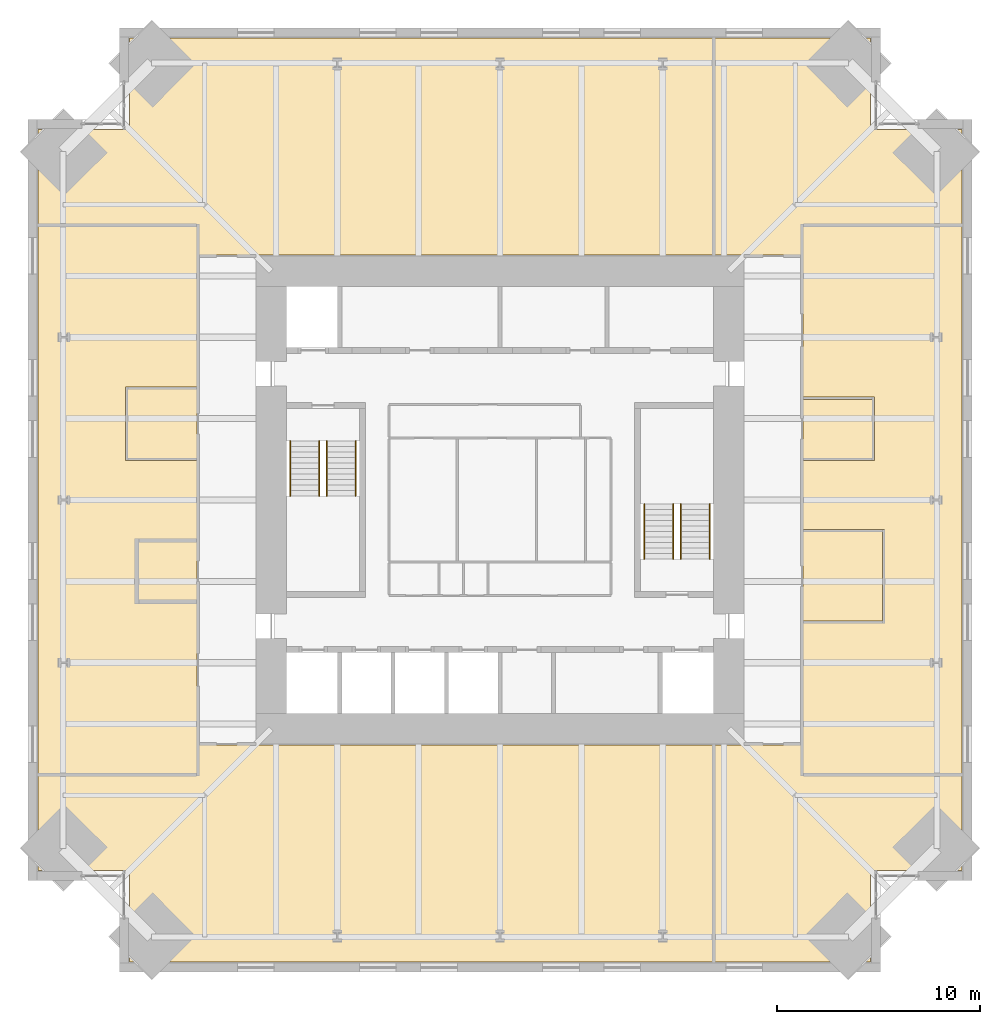
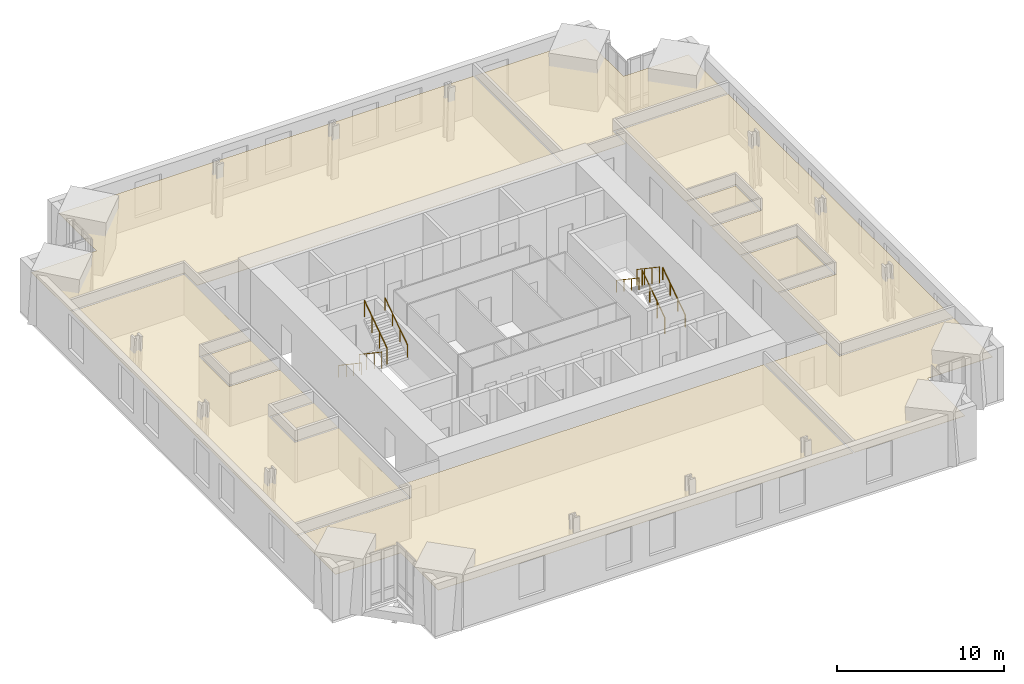
# One storey, part 15 of 15: 10 coverings, 8 railings.
"""IFC4 building model written with IfcOpenShell, lengths in metres."""

from ifc_helpers import new_model, si_unit, direction, frame, origin, origin_2d, place, context, subcontext, project, spatial, polyline, circle, outline, extrude, material, layer, layer_set, type_object, element, save


model = new_model("IFC4")

# Units and contexts
model_context = context("Model", 3, precision=1e-05, world=origin(), true_north=direction((0.0, 1.0)))
body_context = subcontext(model_context, "Body", "Model", "MODEL_VIEW")
ifc_project = project(units=[si_unit("LENGTHUNIT", "METRE"), si_unit("AREAUNIT", "SQUARE_METRE"), si_unit("VOLUMEUNIT", "CUBIC_METRE"), si_unit("PLANEANGLEUNIT", "RADIAN"), si_unit("MASSUNIT", "GRAM", prefix="KILO")], contexts=[model_context])

# Site, building, storey
site_placement = place(None, origin())
site = spatial("IfcSite", under=ifc_project, at=site_placement, CompositionType="ELEMENT")
building_placement = place(site_placement, origin())
building = spatial("IfcBuilding", under=site, at=building_placement, Name="Peilmerk Tower", CompositionType="ELEMENT")
storey_placement = place(building_placement, frame((0.0, 0.0, 233.800048828125)))
storey = spatial("IfcBuildingStorey", under=building, at=storey_placement, Name="L51", CompositionType="ELEMENT", Elevation=233.800048828125)

# Coverings
ifc_material_1 = material(Name="Mineral fibre ceiling tiles", Category="mineral")
ifc_layer = layer(ifc_material_1, 0.02490234375)
ifc_layer_set = layer_set([ifc_layer], Name="Mineral fibre ceiling tiles")
covering_type = type_object("IfcCoveringType", Name="CL1 25 suspended ceiling", PredefinedType="CEILING", material=ifc_layer_set)
covering_1_placement = place(storey_placement, frame((0.0, 0.0, 2.905029296875)))
element("IfcCovering", 1, at=covering_1_placement, inside=storey, type_object=covering_type, Name="Suspended ceiling Project room", PredefinedType="CEILING", context=body_context, shape_type="SweptSolid", body=[
    extrude(outline(polyline([(-22.699951171875, 18.199951171875), (-22.699951171875, 13.550048828125), (-14.800048828125, 13.550048828125), (-14.800048828125, 12.050048828125), (10.449951171875, 12.050048828125), (10.449951171875, 22.699951171875), (-18.199951171875, 22.699951171875), (-18.199951171875, 18.199951171875), (-22.699951171875, 18.199951171875)])), origin(), (0.0, 0.0, 1.0), 0.02490234375),
])
covering_2_placement = place(storey_placement, frame((0.0, 0.0, 2.905029296875)))
element("IfcCovering", 2, at=covering_2_placement, inside=storey, type_object=covering_type, Name="Suspended ceiling Open workspace", PredefinedType="CEILING", context=body_context, shape_type="SweptSolid", body=[
    extrude(outline(polyline([(18.199951171875, 22.699951171875), (10.550048828125, 22.699951171875), (10.550048828125, 12.050048828125), (14.800048828125, 12.050048828125), (14.800048828125, 13.550048828125), (22.699951171875, 13.550048828125), (22.699951171875, 18.199951171875), (18.199951171875, 18.199951171875), (18.199951171875, 22.699951171875)])), origin(), (0.0, 0.0, 1.0), 0.02490234375),
])
covering_3_placement = place(storey_placement, frame((0.0, 0.0, 2.905029296875)))
element("IfcCovering", 3, at=covering_3_placement, inside=storey, type_object=covering_type, Name="Suspended ceiling Open workspace", PredefinedType="CEILING", context=body_context, shape_type="SweptSolid", body=[
    extrude(outline(polyline([(-18.199951171875, -22.699951171875), (10.449951171875, -22.699951171875), (10.449951171875, -12.050048828125), (-14.800048828125, -12.050048828125), (-14.800048828125, -13.550048828125), (-22.699951171875, -13.550048828125), (-22.699951171875, -18.199951171875), (-18.199951171875, -18.199951171875), (-18.199951171875, -22.699951171875)])), origin(), (0.0, 0.0, 1.0), 0.02490234375),
])
covering_4_placement = place(storey_placement, frame((0.0, 0.0, 2.905029296875)))
element("IfcCovering", 4, at=covering_4_placement, inside=storey, type_object=covering_type, Name="Suspended ceiling Project room", PredefinedType="CEILING", context=body_context, shape_type="SweptSolid", body=[
    extrude(outline(polyline([(10.550048828125, -22.699951171875), (18.199951171875, -22.699951171875), (18.199951171875, -18.199951171875), (22.699951171875, -18.199951171875), (22.699951171875, -13.550048828125), (14.800048828125, -13.550048828125), (14.800048828125, -12.050048828125), (10.550048828125, -12.050048828125), (10.550048828125, -22.699951171875)])), origin(), (0.0, 0.0, 1.0), 0.02490234375),
])
covering_5_placement = place(storey_placement, frame((0.0, 0.0, 2.905029296875)))
element("IfcCovering", 5, at=covering_5_placement, inside=storey, type_object=covering_type, Name="Suspended ceiling Open workspace", PredefinedType="CEILING", context=body_context, shape_type="SweptSolid", body=[
    extrude(outline(polyline([(14.89990234375, -13.449951171875), (22.699951171875, -13.449951171875), (22.699951171875, 13.449951171875), (14.89990234375, 13.449951171875), (14.89990234375, 5.050048828125), (18.39990234375, 5.050048828125), (18.39990234375, 1.949951171875), (14.89990234375, 1.949951171875), (14.89990234375, -1.449951171875), (18.89990234375, -1.449951171875), (18.89990234375, -6.050048828125), (14.89990234375, -6.050048828125), (14.89990234375, -13.449951171875)])), origin(), (0.0, 0.0, 1.0), 0.02490234375),
])
covering_6_placement = place(storey_placement, frame((0.0, 0.0, 2.905029296875)))
element("IfcCovering", 6, at=covering_6_placement, inside=storey, type_object=covering_type, Name="Suspended ceiling Meeting room", PredefinedType="CEILING", context=body_context, shape_type="SweptSolid", body=[
    extrude(outline(polyline([(18.800048828125, -5.949951171875), (18.800048828125, -1.550048828125), (14.89990234375, -1.550048828125), (14.89990234375, -5.949951171875), (18.800048828125, -5.949951171875)])), origin(), (0.0, 0.0, 1.0), 0.02490234375),
])
covering_7_placement = place(storey_placement, frame((0.0, 0.0, 2.905029296875)))
element("IfcCovering", 7, at=covering_7_placement, inside=storey, type_object=covering_type, Name="Suspended ceiling Focus room", PredefinedType="CEILING", context=body_context, shape_type="SweptSolid", body=[
    extrude(outline(polyline([(18.300048828125, 2.050048828125), (18.300048828125, 4.949951171875), (14.89990234375, 4.949951171875), (14.89990234375, 2.050048828125), (18.300048828125, 2.050048828125)])), origin(), (0.0, 0.0, 1.0), 0.02490234375),
])
covering_8_placement = place(storey_placement, frame((0.0, 0.0, 2.905029296875)))
element("IfcCovering", 8, at=covering_8_placement, inside=storey, type_object=covering_type, Name="Suspended ceiling Open workspace", PredefinedType="CEILING", context=body_context, shape_type="SweptSolid", body=[
    extrude(outline(polyline([(-14.89990234375, 13.449951171875), (-22.699951171875, 13.449951171875), (-22.699951171875, -13.449951171875), (-14.89990234375, -13.449951171875), (-14.89990234375, -5.050048828125), (-17.89990234375, -5.050048828125), (-17.89990234375, -1.949951171875), (-14.89990234375, -1.949951171875), (-14.89990234375, 1.949951171875), (-18.39990234375, 1.949951171875), (-18.39990234375, 5.550048828125), (-14.89990234375, 5.550048828125), (-14.89990234375, 13.449951171875)])), origin(), (0.0, 0.0, 1.0), 0.02490234375),
])
covering_9_placement = place(storey_placement, frame((0.0, 0.0, 2.905029296875)))
element("IfcCovering", 9, at=covering_9_placement, inside=storey, type_object=covering_type, Name="Suspended ceiling Print room", PredefinedType="CEILING", context=body_context, shape_type="SweptSolid", body=[
    extrude(outline(polyline([(-14.89990234375, -4.949951171875), (-14.89990234375, -2.050048828125), (-17.800048828125, -2.050048828125), (-17.800048828125, -4.949951171875), (-14.89990234375, -4.949951171875)])), origin(), (0.0, 0.0, 1.0), 0.02490234375),
])
covering_10_placement = place(storey_placement, frame((0.0, 0.0, 2.905029296875)))
element("IfcCovering", 10, at=covering_10_placement, inside=storey, type_object=covering_type, Name="Suspended ceiling Pantry", PredefinedType="CEILING", context=body_context, shape_type="SweptSolid", body=[
    extrude(outline(polyline([(-14.89990234375, 2.050048828125), (-14.89990234375, 5.449951171875), (-18.300048828125, 5.449951171875), (-18.300048828125, 2.050048828125), (-14.89990234375, 2.050048828125)])), origin(), (0.0, 0.0, 1.0), 0.02490234375),
])

# Railings
ifc_material_2 = material(Name="Steel flat bar balustrade", Category="steel")
railing_type_1 = type_object("IfcRailingType", Name="GR1 1200 stair guard", PredefinedType="GUARDRAIL", material=ifc_material_2)
railing_1_placement = place(storey_placement, frame((-8.8798828125, 2.89990234375, 0.181884765625)))
element("IfcRailing", 11, at=railing_1_placement, inside=storey, type_object=railing_type_1, Name="Guard stair 1 L51", PredefinedType="GUARDRAIL", context=body_context, shape_type="SweptSolid", body=[
    extrude(circle(Radius=0.02392578125, at=origin_2d()), frame((0.0, 0.0, 1.17578125), z_axis=(0.0, -0.829468130872, 0.55855404382), x_axis=(1.0, 0.0, 0.0)), (0.0, 0.0, 1.0), 3.255126953125),
    extrude(circle(Radius=0.02099609375, at=origin_2d()), origin(), (0.0, 0.0, 1.0), 1.15185546875),
    extrude(circle(Radius=0.02099609375, at=origin_2d()), frame((0.0, -0.89990234375, 0.60595703125)), (0.0, 0.0, 1.0), 1.15185546875),
    extrude(circle(Radius=0.02099609375, at=origin_2d()), frame((0.0, -1.800048828125, 1.212158203125)), (0.0, 0.0, 1.0), 1.15185546875),
    extrude(circle(Radius=0.02099609375, at=origin_2d()), frame((0.0, -2.699951171875, 1.818115234375)), (0.0, 0.0, 1.0), 1.15185546875),
])
for number, where, name in (
    (12, (-8.52001953125, 0.199951171875, 2.181884765625), "Guard stair 1 L51"),
    (13, (8.8798828125, -2.89990234375, 0.181884765625), "Guard stair 2 L51"),
):
    element("IfcRailing", number, at=place(storey_placement, frame(where)), inside=storey, type_object=railing_type_1, Name=name, PredefinedType="GUARDRAIL", context=body_context, shape_type="SweptSolid", body=[
        extrude(circle(Radius=0.02392578125, at=origin_2d()), frame((0.0, 0.0, 1.17578125), z_axis=(0.0, 0.829468130872, 0.55855404382), x_axis=(-1.0, 0.0, 0.0)), (0.0, 0.0, 1.0), 3.255126953125),
        extrude(circle(Radius=0.02099609375, at=origin_2d()), origin(), (0.0, 0.0, 1.0), 1.15185546875),
        extrude(circle(Radius=0.02099609375, at=origin_2d()), frame((0.0, 0.89990234375, 0.60595703125)), (0.0, 0.0, 1.0), 1.15185546875),
        extrude(circle(Radius=0.02099609375, at=origin_2d()), frame((0.0, 1.800048828125, 1.212158203125)), (0.0, 0.0, 1.0), 1.15185546875),
        extrude(circle(Radius=0.02099609375, at=origin_2d()), frame((0.0, 2.699951171875, 1.818115234375)), (0.0, 0.0, 1.0), 1.15185546875),
    ])
railing_2_placement = place(storey_placement, frame((8.52001953125, -0.199951171875, 2.181884765625)))
element("IfcRailing", 14, at=railing_2_placement, inside=storey, type_object=railing_type_1, Name="Guard stair 2 L51", PredefinedType="GUARDRAIL", context=body_context, shape_type="SweptSolid", body=[
    extrude(circle(Radius=0.02392578125, at=origin_2d()), frame((0.0, 0.0, 1.17578125), z_axis=(0.0, -0.829468130872, 0.55855404382), x_axis=(1.0, 0.0, 0.0)), (0.0, 0.0, 1.0), 3.255126953125),
    extrude(circle(Radius=0.02099609375, at=origin_2d()), origin(), (0.0, 0.0, 1.0), 1.15185546875),
    extrude(circle(Radius=0.02099609375, at=origin_2d()), frame((0.0, -0.89990234375, 0.60595703125)), (0.0, 0.0, 1.0), 1.15185546875),
    extrude(circle(Radius=0.02099609375, at=origin_2d()), frame((0.0, -1.800048828125, 1.212158203125)), (0.0, 0.0, 1.0), 1.15185546875),
    extrude(circle(Radius=0.02099609375, at=origin_2d()), frame((0.0, -2.699951171875, 1.818115234375)), (0.0, 0.0, 1.0), 1.15185546875),
])
ifc_material_3 = material(Name="Stainless steel tube", Category="steel")
railing_type_2 = type_object("IfcRailingType", Name="HR1 900 stair handrail", PredefinedType="HANDRAIL", material=ifc_material_3)
railing_3_placement = place(storey_placement, frame((-10.300048828125, 2.89990234375, 0.181884765625)))
element("IfcRailing", 15, at=railing_3_placement, inside=storey, type_object=railing_type_2, Name="Handrail stair 1 L51", PredefinedType="HANDRAIL", context=body_context, shape_type="SweptSolid", body=[
    extrude(circle(Radius=0.02392578125, at=origin_2d()), frame((0.0, 0.0, 0.8759765625), z_axis=(0.0, -0.829468130872, 0.55855404382), x_axis=(1.0, 0.0, 0.0)), (0.0, 0.0, 1.0), 3.255126953125),
    extrude(circle(Radius=0.02099609375, at=origin_2d()), origin(), (0.0, 0.0, 1.0), 0.851806640625),
    extrude(circle(Radius=0.02099609375, at=origin_2d()), frame((0.0, -0.89990234375, 0.60595703125)), (0.0, 0.0, 1.0), 0.851806640625),
    extrude(circle(Radius=0.02099609375, at=origin_2d()), frame((0.0, -1.800048828125, 1.212158203125)), (0.0, 0.0, 1.0), 0.851806640625),
    extrude(circle(Radius=0.02099609375, at=origin_2d()), frame((0.0, -2.699951171875, 1.818115234375)), (0.0, 0.0, 1.0), 0.851806640625),
])
for number, where, name in (
    (16, (-7.10009765625, 0.199951171875, 2.181884765625), "Handrail stair 1 L51"),
    (17, (10.300048828125, -2.89990234375, 0.181884765625), "Handrail stair 2 L51"),
):
    element("IfcRailing", number, at=place(storey_placement, frame(where)), inside=storey, type_object=railing_type_2, Name=name, PredefinedType="HANDRAIL", context=body_context, shape_type="SweptSolid", body=[
        extrude(circle(Radius=0.02392578125, at=origin_2d()), frame((0.0, 0.0, 0.8759765625), z_axis=(0.0, 0.829468130872, 0.55855404382), x_axis=(-1.0, 0.0, 0.0)), (0.0, 0.0, 1.0), 3.255126953125),
        extrude(circle(Radius=0.02099609375, at=origin_2d()), origin(), (0.0, 0.0, 1.0), 0.851806640625),
        extrude(circle(Radius=0.02099609375, at=origin_2d()), frame((0.0, 0.89990234375, 0.60595703125)), (0.0, 0.0, 1.0), 0.851806640625),
        extrude(circle(Radius=0.02099609375, at=origin_2d()), frame((0.0, 1.800048828125, 1.212158203125)), (0.0, 0.0, 1.0), 0.851806640625),
        extrude(circle(Radius=0.02099609375, at=origin_2d()), frame((0.0, 2.699951171875, 1.818115234375)), (0.0, 0.0, 1.0), 0.851806640625),
    ])
railing_4_placement = place(storey_placement, frame((7.10009765625, -0.199951171875, 2.181884765625)))
element("IfcRailing", 18, at=railing_4_placement, inside=storey, type_object=railing_type_2, Name="Handrail stair 2 L51", PredefinedType="HANDRAIL", context=body_context, shape_type="SweptSolid", body=[
    extrude(circle(Radius=0.02392578125, at=origin_2d()), frame((0.0, 0.0, 0.8759765625), z_axis=(0.0, -0.829468130872, 0.55855404382), x_axis=(1.0, 0.0, 0.0)), (0.0, 0.0, 1.0), 3.255126953125),
    extrude(circle(Radius=0.02099609375, at=origin_2d()), origin(), (0.0, 0.0, 1.0), 0.851806640625),
    extrude(circle(Radius=0.02099609375, at=origin_2d()), frame((0.0, -0.89990234375, 0.60595703125)), (0.0, 0.0, 1.0), 0.851806640625),
    extrude(circle(Radius=0.02099609375, at=origin_2d()), frame((0.0, -1.800048828125, 1.212158203125)), (0.0, 0.0, 1.0), 0.851806640625),
    extrude(circle(Radius=0.02099609375, at=origin_2d()), frame((0.0, -2.699951171875, 1.818115234375)), (0.0, 0.0, 1.0), 0.851806640625),
])

save(model, "model.ifc")
